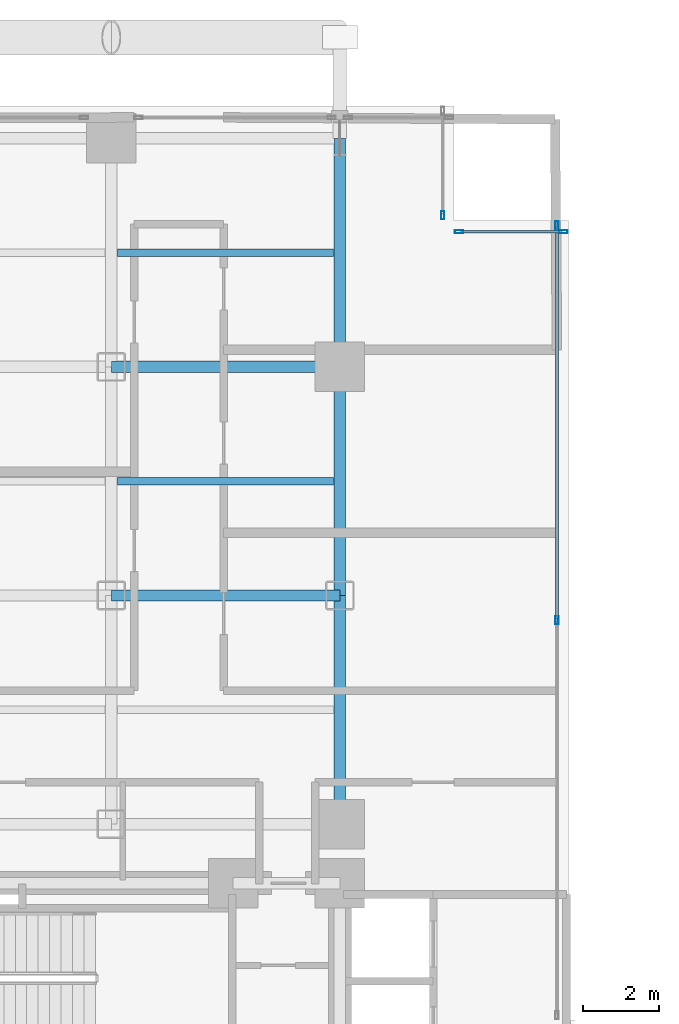
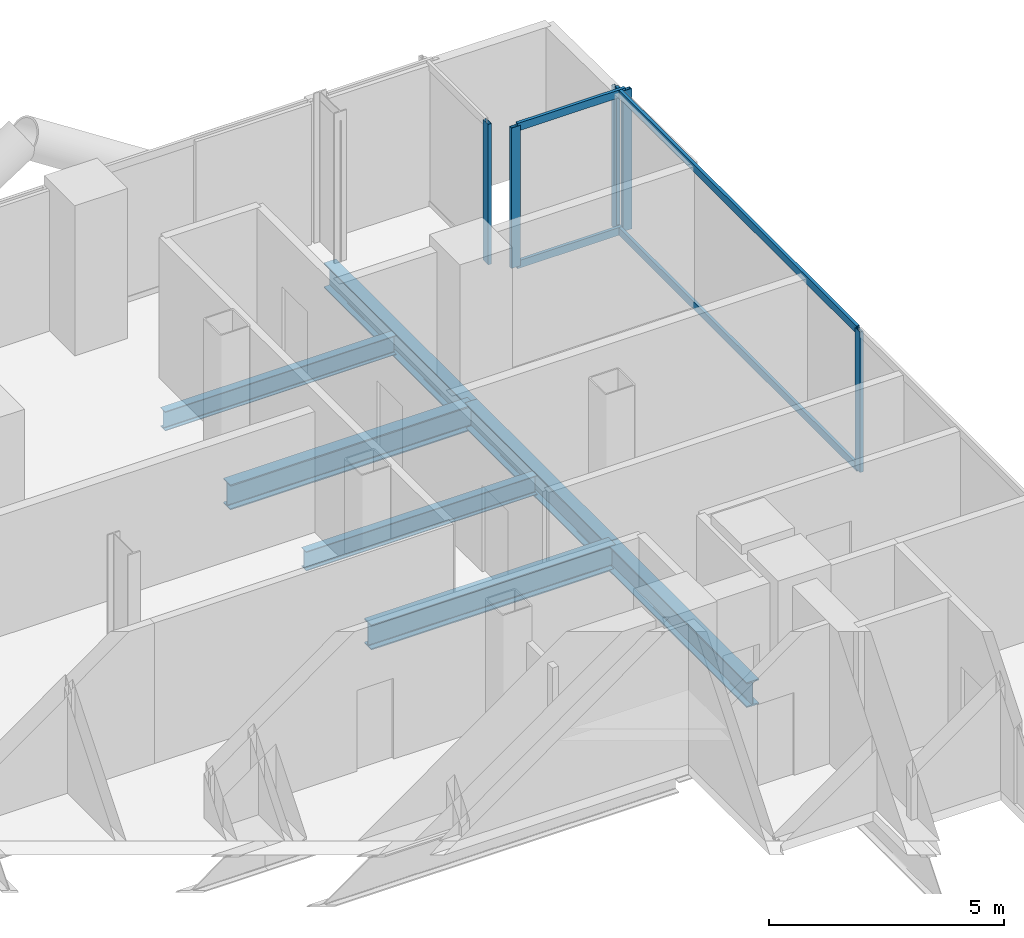
# One storey, part 15 of 25: 9 members, 7 beams, 3 elements without a shape of their own.
"""IFC4 building model written with IfcOpenShell, lengths in metres."""

from ifc_helpers import new_model, si_unit, direction, frame, origin, origin_2d, place, context, subcontext, project, spatial, hollow_rectangle, i_section, extrude, material, layer, layer_set, material_profile, profile_set, type_object, element, aggregate, save


model = new_model("IFC4")

# Units and contexts
model_context = context("Model", 3, precision=1e-05, world=origin(), true_north=direction((0.0, 1.0)))
body_context = subcontext(model_context, "Body", "Model", "MODEL_VIEW")
ifc_project = project(units=[si_unit("LENGTHUNIT", "METRE"), si_unit("AREAUNIT", "SQUARE_METRE"), si_unit("VOLUMEUNIT", "CUBIC_METRE"), si_unit("PLANEANGLEUNIT", "RADIAN"), si_unit("MASSUNIT", "GRAM", prefix="KILO"), si_unit("THERMODYNAMICTEMPERATUREUNIT", "KELVIN"), si_unit("POWERUNIT", "WATT")], contexts=[model_context])

# Site, building, storey
site_placement = place(None, origin())
site = spatial("IfcSite", under=ifc_project, at=site_placement, CompositionType="ELEMENT")
building_placement = place(site_placement, origin())
building = spatial("IfcBuilding", under=site, at=building_placement, Name="Svarakhadi Broadcast Tower", CompositionType="ELEMENT")
storey_placement = place(building_placement, frame((0.0, 0.0, 79.199951171875)))
storey = spatial("IfcBuildingStorey", under=building, at=storey_placement, Name="L18", CompositionType="ELEMENT", Elevation=79.199951171875)

# Beams
ifc_material_1 = material(Name="Steel S355J2 (IS 2062 E350C)", Category="steel")
ifc_material_profile_1 = material_profile(ifc_material_1, i_section(OverallWidth=0.199951171875, OverallDepth=0.5, WebThickness=0.01025390625, FlangeThickness=0.01611328125, FilletRadius=0.02099609375, at=origin_2d()), Name="NPB 500x200x91")
ifc_profile_set_1 = profile_set([ifc_material_profile_1], Name="Steel S355J2 (IS 2062 E350C)")
beam_type_1 = type_object("IfcBeamType", Name="Beam_NPB500", PredefinedType="BEAM", material=ifc_profile_set_1)
for number, where, z_axis, x_axis, name in (
    (1, (12.159912109375, 38.14990234375, -0.5), (1.0, 0.0, 0.0), (0.0, 1.0, 0.0), "L18 Secondary Composite Beam SB017"),
    (2, (12.159912109375, 44.14990234375, -0.5), (1.0, 0.0, 0.0), (0.0, 1.0, 0.0), "L18 Secondary Composite Beam SB018"),
):
    element("IfcBeam", number, at=place(storey_placement, frame(where, z_axis=z_axis, x_axis=x_axis)), inside=storey, type_object=beam_type_1, Name=name, PredefinedType="BEAM", context=body_context, shape_type="SweptSolid", body=[
        extrude(i_section(OverallWidth=0.199951171875, OverallDepth=0.5, WebThickness=0.01025390625, FlangeThickness=0.01611328125, FilletRadius=0.02099609375, at=origin_2d()), origin(), (0.0, 0.0, 1.0), 5.68017578125),
    ])

# Curtain wall, member
ifc_material_2 = material(Name="Anodised Bronze Aluminium AA 6063-T6", Category="aluminium")
ifc_layer = layer(ifc_material_2, 0.219970703125)
ifc_layer_set = layer_set([ifc_layer], Name="Anodised Bronze Aluminium AA 6063-T6")
curtain_wall_type = type_object("IfcCurtainWallType", Name="CW_Sys_02", PredefinedType="NOTDEFINED", material=ifc_layer_set)
curtain_wall_1_placement = place(storey_placement, origin())
curtain_wall_1 = element("IfcCurtainWall", 3, at=curtain_wall_1_placement, inside=storey, type_object=curtain_wall_type, Name="L18 Unitised Facade Curtain Wall 07", PredefinedType="NOTDEFINED")
ifc_material_profile_2 = material_profile(ifc_material_2, hollow_rectangle(XDim=0.0849609375, YDim=0.219970703125, WallThickness=0.006103515625, at=origin_2d()), Name="ALU MULLION 220x85x6")
ifc_profile_set_2 = profile_set([ifc_material_profile_2], Name="Anodised Bronze Aluminium AA 6063-T6")
member_type_1 = type_object("IfcMemberType", Name="CW_Sys_02_Mul", PredefinedType="MULLION", material=ifc_profile_set_2)
member_1_placement = place(storey_placement, frame((20.699951171875, 45.132568359375, 0.0), z_axis=(0.0, 0.0, 1.0), x_axis=(1.0, 0.0, 0.0)))
member_1 = element("IfcMember", 4, at=member_1_placement, type_object=member_type_1, Name="CW-02 mullion 2", PredefinedType="MULLION", context=body_context, shape_type="SweptSolid", body=[
    extrude(hollow_rectangle(XDim=0.0849609375, YDim=0.219970703125, WallThickness=0.006103515625, at=origin_2d()), origin(), (0.0, 0.0, 1.0), 3.650146484375),
])
aggregate(curtain_wall_1, [member_1])

# Curtain wall, members
curtain_wall_2_placement = place(storey_placement, origin())
curtain_wall_2 = element("IfcCurtainWall", 5, at=curtain_wall_2_placement, inside=storey, type_object=curtain_wall_type, Name="L18 Unitised Facade Curtain Wall 08", PredefinedType="NOTDEFINED")
member_2_placement = place(storey_placement, frame((21.132568359375, 44.699951171875, 0.0), z_axis=(0.0, 0.0, 1.0), x_axis=(0.0, 1.0, 0.0)))
member_2 = element("IfcMember", 6, at=member_2_placement, type_object=member_type_1, Name="CW-02 mullion 1", PredefinedType="MULLION", context=body_context, shape_type="SweptSolid", body=[
    extrude(hollow_rectangle(XDim=0.0849609375, YDim=0.219970703125, WallThickness=0.006103515625, at=origin_2d()), origin(), (0.0, 0.0, 1.0), 3.650146484375),
])
member_3_placement = place(storey_placement, frame((23.867431640625, 44.699951171875, 0.0), z_axis=(0.0, 0.0, 1.0), x_axis=(0.0, 1.0, 0.0)))
member_3 = element("IfcMember", 7, at=member_3_placement, type_object=member_type_1, Name="CW-02 mullion 2", PredefinedType="MULLION", context=body_context, shape_type="SweptSolid", body=[
    extrude(hollow_rectangle(XDim=0.0849609375, YDim=0.219970703125, WallThickness=0.006103515625, at=origin_2d()), origin(), (0.0, 0.0, 1.0), 3.650146484375),
])

curtain_wall_3_placement = place(storey_placement, origin())
curtain_wall_3 = element("IfcCurtainWall", 8, at=curtain_wall_3_placement, inside=storey, type_object=curtain_wall_type, Name="L18 Unitised Facade Curtain Wall 09", PredefinedType="NOTDEFINED")
member_4_placement = place(storey_placement, frame((23.699951171875, 44.867431640625, 0.0), z_axis=(0.0, 0.0, 1.0), x_axis=(1.0, 0.0, 0.0)))
member_4 = element("IfcMember", 9, at=member_4_placement, type_object=member_type_1, Name="CW-02 mullion 1", PredefinedType="MULLION", context=body_context, shape_type="SweptSolid", body=[
    extrude(hollow_rectangle(XDim=0.0849609375, YDim=0.219970703125, WallThickness=0.006103515625, at=origin_2d()), origin(), (0.0, 0.0, 1.0), 3.650146484375),
])
member_5_placement = place(storey_placement, frame((23.699951171875, 34.5, 0.0), z_axis=(0.0, 0.0, 1.0), x_axis=(1.0, 0.0, 0.0)))
member_5 = element("IfcMember", 10, at=member_5_placement, type_object=member_type_1, Name="CW-02 mullion 2", PredefinedType="MULLION", context=body_context, shape_type="SweptSolid", body=[
    extrude(hollow_rectangle(XDim=0.0849609375, YDim=0.219970703125, WallThickness=0.006103515625, at=origin_2d()), origin(), (0.0, 0.0, 1.0), 3.650146484375),
])

# Member
ifc_material_profile_3 = material_profile(ifc_material_2, hollow_rectangle(XDim=0.074951171875, YDim=0.199951171875, WallThickness=0.0048828125, at=origin_2d()), Name="ALU TRANSOM 200x75x5")
ifc_profile_set_3 = profile_set([ifc_material_profile_3], Name="Anodised Bronze Aluminium AA 6063-T6")
member_type_2 = type_object("IfcMemberType", Name="CW_Sys_02_Trn", PredefinedType="USERDEFINED", material=ifc_profile_set_3)
member_6_placement = place(storey_placement, frame((21.175048828125, 44.699951171875, 0.03759765625), z_axis=(1.0, 0.0, 0.0), x_axis=(0.0, 1.0, 0.0)))
member_6 = element("IfcMember", 11, at=member_6_placement, type_object=member_type_2, Name="CW-02 transom 1.1", ObjectType="TRANSOM", PredefinedType="USERDEFINED", context=body_context, shape_type="SweptSolid", body=[
    extrude(hollow_rectangle(XDim=0.074951171875, YDim=0.199951171875, WallThickness=0.0048828125, at=origin_2d()), origin(), (0.0, 0.0, 1.0), 2.64990234375),
])

member_7_placement = place(storey_placement, frame((21.175048828125, 44.699951171875, 3.612548828125), z_axis=(1.0, 0.0, 0.0), x_axis=(0.0, 1.0, 0.0)))
member_7 = element("IfcMember", 12, at=member_7_placement, type_object=member_type_2, Name="CW-02 transom 1.2", ObjectType="TRANSOM", PredefinedType="USERDEFINED", context=body_context, shape_type="SweptSolid", body=[
    extrude(hollow_rectangle(XDim=0.074951171875, YDim=0.199951171875, WallThickness=0.0048828125, at=origin_2d()), origin(), (0.0, 0.0, 1.0), 2.64990234375),
])

aggregate(curtain_wall_2, [member_2, member_3, member_6, member_7])

member_8_placement = place(storey_placement, frame((23.699951171875, 44.824951171875, 0.03759765625), z_axis=(0.0, -1.0, 0.0), x_axis=(1.0, 0.0, 0.0)))
member_8 = element("IfcMember", 13, at=member_8_placement, type_object=member_type_2, Name="CW-02 transom 1.1", ObjectType="TRANSOM", PredefinedType="USERDEFINED", context=body_context, shape_type="SweptSolid", body=[
    extrude(hollow_rectangle(XDim=0.074951171875, YDim=0.199951171875, WallThickness=0.0048828125, at=origin_2d()), origin(), (0.0, 0.0, 1.0), 10.282470703125),
])

member_9_placement = place(storey_placement, frame((23.699951171875, 44.824951171875, 3.612548828125), z_axis=(0.0, -1.0, 0.0), x_axis=(1.0, 0.0, 0.0)))
member_9 = element("IfcMember", 14, at=member_9_placement, type_object=member_type_2, Name="CW-02 transom 1.2", ObjectType="TRANSOM", PredefinedType="USERDEFINED", context=body_context, shape_type="SweptSolid", body=[
    extrude(hollow_rectangle(XDim=0.074951171875, YDim=0.199951171875, WallThickness=0.0048828125, at=origin_2d()), origin(), (0.0, 0.0, 1.0), 10.282470703125),
])

aggregate(curtain_wall_3, [member_4, member_5, member_8, member_9])

# Beams
ifc_material_profile_4 = material_profile(ifc_material_1, i_section(OverallWidth=0.300048828125, OverallDepth=0.64990234375, WebThickness=0.01611328125, FlangeThickness=0.031005859375, FilletRadius=0.027099609375, at=origin_2d()), Name="WPB 650x300x225")
ifc_profile_set_4 = profile_set([ifc_material_profile_4], Name="Steel S355J2 (IS 2062 E350C)")
beam_type_2 = type_object("IfcBeamType", Name="Girder_WPB650", PredefinedType="USERDEFINED", material=ifc_profile_set_4)
for number, where, z_axis, x_axis, name in (
    (15, (12.0, 35.14990234375, -0.574951171875), (1.0, 0.0, 0.0), (0.0, 1.0, 0.0), "L18 Primary E-W Girder G039"),
    (16, (12.0, 41.14990234375, -0.574951171875), (1.0, 0.0, 0.0), (0.0, 1.0, 0.0), "L18 Primary E-W Girder G042"),
    (17, (18.0, 29.14990234375, -0.574951171875), (0.0, 1.0, 0.0), (-1.0, 0.0, 0.0), "L18 Primary N-S Girder G068"),
    (18, (18.0, 35.14990234375, -0.574951171875), (0.0, 1.0, 0.0), (-1.0, 0.0, 0.0), "L18 Primary N-S Girder G069"),
    (19, (18.0, 41.14990234375, -0.574951171875), (0.0, 1.0, 0.0), (-1.0, 0.0, 0.0), "L18 Primary N-S Girder G070"),
):
    element("IfcBeam", number, at=place(storey_placement, frame(where, z_axis=z_axis, x_axis=x_axis)), inside=storey, type_object=beam_type_2, Name=name, ObjectType="GIRDER", PredefinedType="USERDEFINED", context=body_context, shape_type="SweptSolid", body=[
        extrude(i_section(OverallWidth=0.300048828125, OverallDepth=0.64990234375, WebThickness=0.01611328125, FlangeThickness=0.031005859375, FilletRadius=0.027099609375, at=origin_2d()), origin(), (0.0, 0.0, 1.0), 6.0),
    ])

save(model, "model.ifc")
